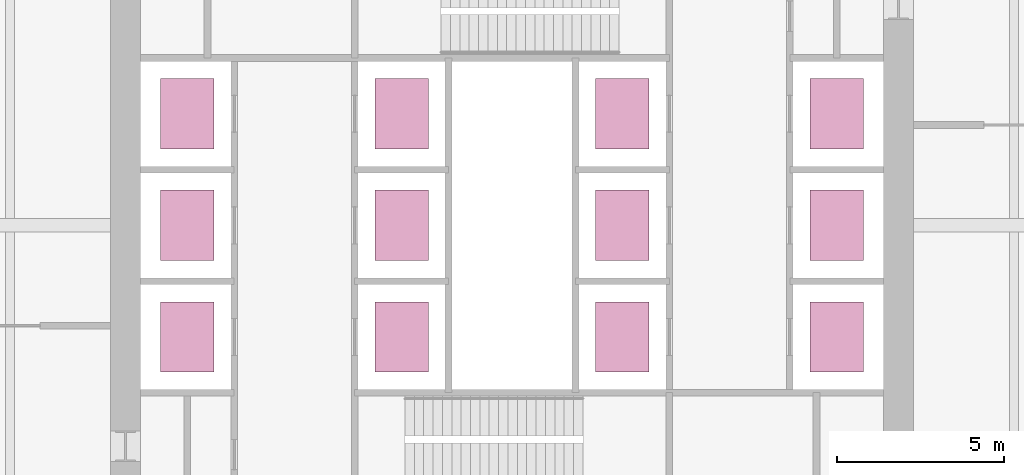
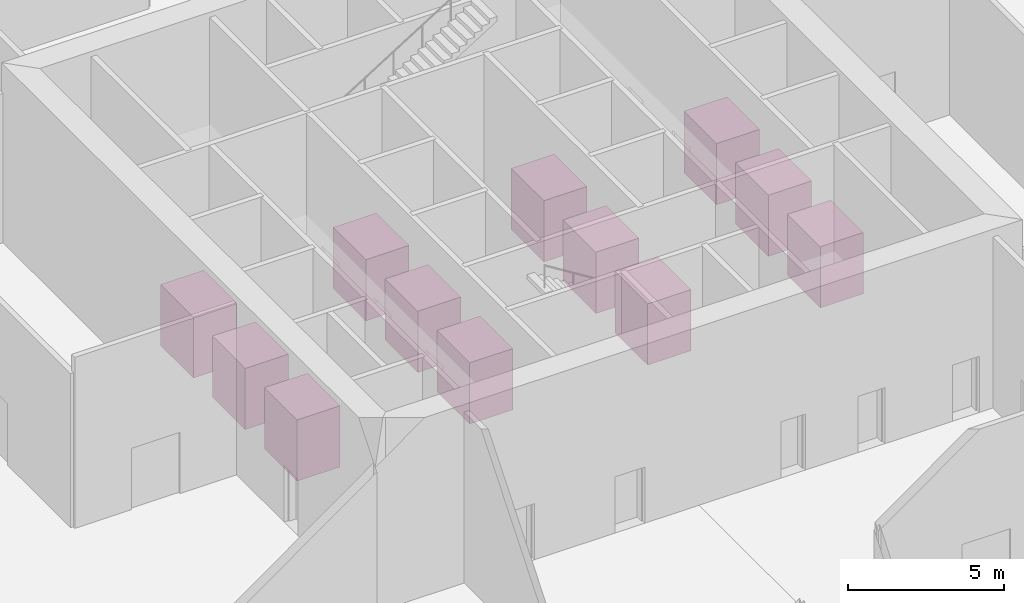
# One storey, part 20 of 20: 12 transport elements.
"""IFC4 building model written with IfcOpenShell, lengths in metres."""

from ifc_helpers import new_model, si_unit, direction, frame, origin, origin_2d, place, context, subcontext, project, spatial, rectangle, extrude, material, type_object, element, save


model = new_model("IFC4")

# Units and contexts
model_context = context("Model", 3, precision=1e-05, world=origin(), true_north=direction((0.0, 1.0)))
body_context = subcontext(model_context, "Body", "Model", "MODEL_VIEW")
ifc_project = project(units=[si_unit("LENGTHUNIT", "METRE"), si_unit("AREAUNIT", "SQUARE_METRE"), si_unit("VOLUMEUNIT", "CUBIC_METRE"), si_unit("PLANEANGLEUNIT", "RADIAN"), si_unit("MASSUNIT", "GRAM", prefix="KILO")], contexts=[model_context])

# Site, building, storey
site_placement = place(None, origin())
site = spatial("IfcSite", under=ifc_project, at=site_placement, CompositionType="ELEMENT")
building_placement = place(site_placement, origin())
building = spatial("IfcBuilding", under=site, at=building_placement, Name="Fenwick Lantern Interchange", CompositionType="ELEMENT")
storey_placement = place(building_placement, origin())
storey = spatial("IfcBuildingStorey", under=building, at=storey_placement, Name="L00", CompositionType="ELEMENT", Elevation=0.0)

# Transport elements
ifc_material = material(Name="Steel lift car", Category="steel")
transport_element_type_1 = type_object("IfcTransportElementType", Name="HIGH-RISE PASSENGER LIFT 1600 KG", PredefinedType="ELEVATOR", material=ifc_material)
for number, where, z_axis, x_axis, name in (
    (1, (28.300048828125, 28.333251953125, 0.0), (0.0, 0.0, 1.0), (1.0, 0.0, 0.0), "High-rise passenger lift E2-1"),
    (2, (28.300048828125, 25.0, 0.0), (0.0, 0.0, 1.0), (1.0, 0.0, 0.0), "High-rise passenger lift E2-2"),
    (3, (28.300048828125, 21.666748046875, 0.0), (0.0, 0.0, 1.0), (1.0, 0.0, 0.0), "High-rise passenger lift E2-3"),
):
    element("IfcTransportElement", number, at=place(storey_placement, frame(where, z_axis=z_axis, x_axis=x_axis)), inside=storey, type_object=transport_element_type_1, Name=name, PredefinedType="ELEVATOR", context=body_context, shape_type="SweptSolid", body=[
        extrude(rectangle(XDim=1.60009765625, YDim=2.10009765625, at=origin_2d()), origin(), (0.0, 0.0, 1.0), 2.39990234375),
    ])
transport_element_type_2 = type_object("IfcTransportElementType", Name="HOTEL PASSENGER LIFT 1600 KG", PredefinedType="ELEVATOR", material=ifc_material)
for number, where, z_axis, x_axis, name in (
    (4, (34.699951171875, 28.333251953125, 0.0), (0.0, 0.0, 1.0), (1.0, 0.0, 0.0), "Hotel passenger lift E1-1"),
    (5, (34.699951171875, 25.0, 0.0), (0.0, 0.0, 1.0), (1.0, 0.0, 0.0), "Hotel passenger lift E1-2"),
    (6, (34.699951171875, 21.666748046875, 0.0), (0.0, 0.0, 1.0), (1.0, 0.0, 0.0), "Hotel passenger lift E1-3"),
):
    element("IfcTransportElement", number, at=place(storey_placement, frame(where, z_axis=z_axis, x_axis=x_axis)), inside=storey, type_object=transport_element_type_2, Name=name, PredefinedType="ELEVATOR", context=body_context, shape_type="SweptSolid", body=[
        extrude(rectangle(XDim=1.60009765625, YDim=2.10009765625, at=origin_2d()), origin(), (0.0, 0.0, 1.0), 2.39990234375),
    ])
transport_element_type_3 = type_object("IfcTransportElementType", Name="LOW-RISE PASSENGER LIFT 1600 KG", PredefinedType="ELEVATOR", material=ifc_material)
for number, where, z_axis, x_axis, name in (
    (7, (15.300048828125, 21.666748046875, 0.0), (0.0, 0.0, 1.0), (1.0, 0.0, 0.0), "Low-rise passenger lift W1-1"),
    (8, (15.300048828125, 25.0, 0.0), (0.0, 0.0, 1.0), (1.0, 0.0, 0.0), "Low-rise passenger lift W1-2"),
    (9, (15.300048828125, 28.333251953125, 0.0), (0.0, 0.0, 1.0), (1.0, 0.0, 0.0), "Low-rise passenger lift W1-3"),
):
    element("IfcTransportElement", number, at=place(storey_placement, frame(where, z_axis=z_axis, x_axis=x_axis)), inside=storey, type_object=transport_element_type_3, Name=name, PredefinedType="ELEVATOR", context=body_context, shape_type="SweptSolid", body=[
        extrude(rectangle(XDim=1.60009765625, YDim=2.10009765625, at=origin_2d()), origin(), (0.0, 0.0, 1.0), 2.39990234375),
    ])
transport_element_type_4 = type_object("IfcTransportElementType", Name="MID-RISE PASSENGER LIFT 1600 KG", PredefinedType="ELEVATOR", material=ifc_material)
for number, where, z_axis, x_axis, name in (
    (10, (21.699951171875, 21.666748046875, 0.0), (0.0, 0.0, 1.0), (1.0, 0.0, 0.0), "Mid-rise passenger lift W2-1"),
    (11, (21.699951171875, 25.0, 0.0), (0.0, 0.0, 1.0), (1.0, 0.0, 0.0), "Mid-rise passenger lift W2-2"),
    (12, (21.699951171875, 28.333251953125, 0.0), (0.0, 0.0, 1.0), (1.0, 0.0, 0.0), "Mid-rise passenger lift W2-3"),
):
    element("IfcTransportElement", number, at=place(storey_placement, frame(where, z_axis=z_axis, x_axis=x_axis)), inside=storey, type_object=transport_element_type_4, Name=name, PredefinedType="ELEVATOR", context=body_context, shape_type="SweptSolid", body=[
        extrude(rectangle(XDim=1.60009765625, YDim=2.10009765625, at=origin_2d()), origin(), (0.0, 0.0, 1.0), 2.39990234375),
    ])

save(model, "model.ifc")
